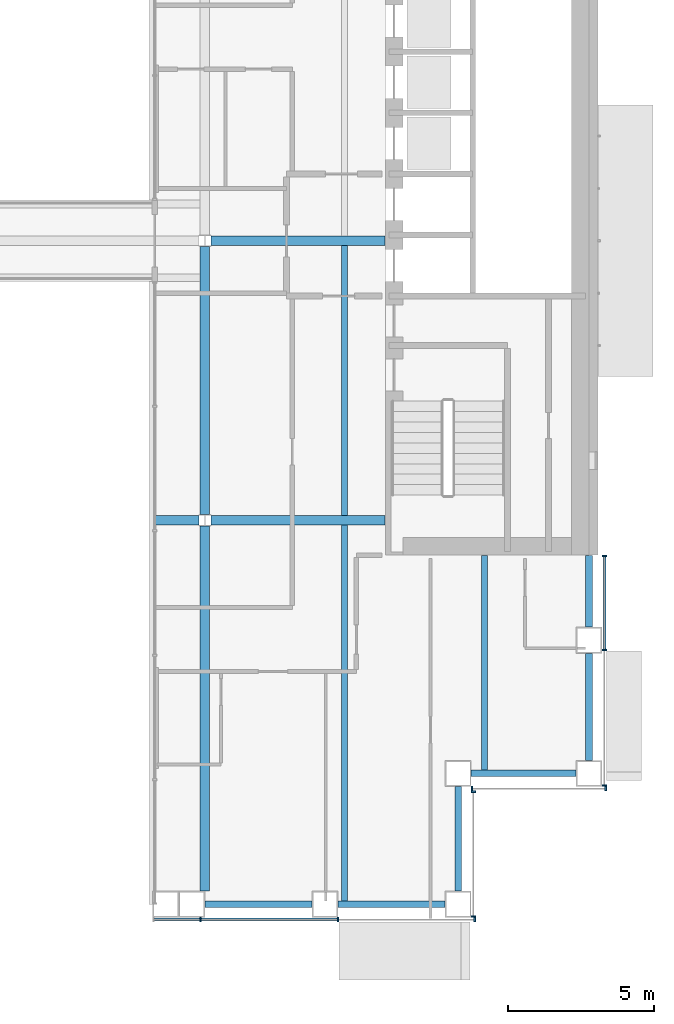
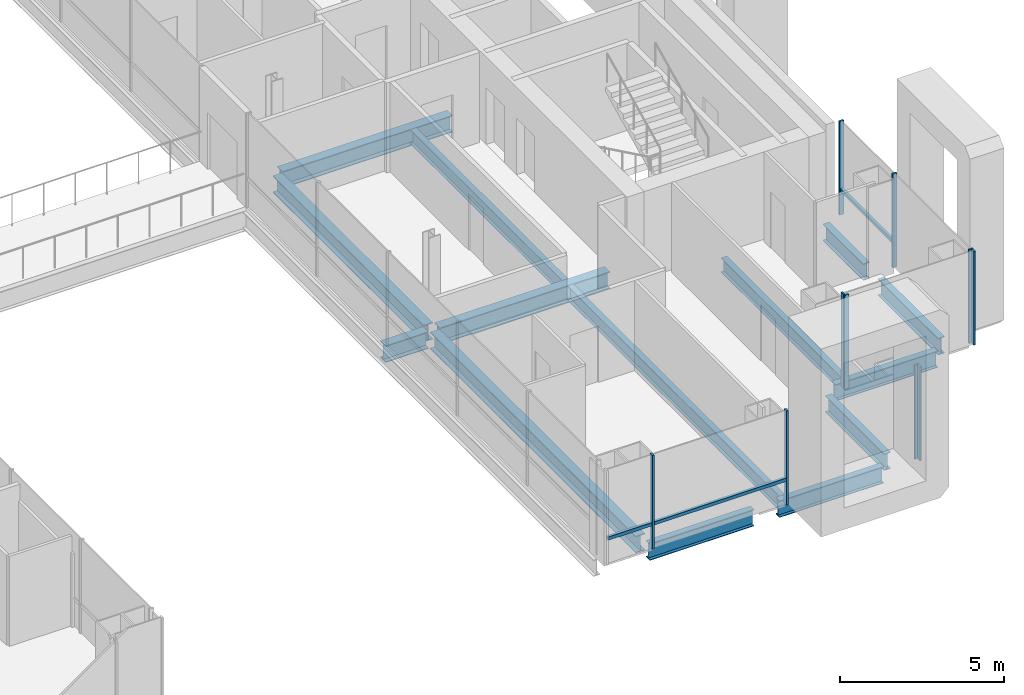
# One storey, part 5 of 20: 14 beams, 13 members, 4 elements without a shape of their own.
"""IFC4 building model written with IfcOpenShell, lengths in metres."""

from ifc_helpers import new_model, si_unit, direction, frame, origin, origin_2d, place, context, subcontext, project, spatial, rectangle, i_section, extrude, material, material_profile, profile_set, type_object, element, aggregate, save


model = new_model("IFC4")

# Units and contexts
model_context = context("Model", 3, precision=1e-05, world=origin(), true_north=direction((0.0, 1.0)))
body_context = subcontext(model_context, "Body", "Model", "MODEL_VIEW")
ifc_project = project(units=[si_unit("LENGTHUNIT", "METRE"), si_unit("AREAUNIT", "SQUARE_METRE"), si_unit("VOLUMEUNIT", "CUBIC_METRE"), si_unit("PLANEANGLEUNIT", "RADIAN"), si_unit("MASSUNIT", "GRAM", prefix="KILO")], contexts=[model_context])

# Site, building, storey
site_placement = place(None, origin())
site = spatial("IfcSite", under=ifc_project, at=site_placement, CompositionType="ELEMENT")
building_placement = place(site_placement, origin())
building = spatial("IfcBuilding", under=site, at=building_placement, Name="Cobrizo Arcos Hotel Tower", CompositionType="ELEMENT")
storey_placement = place(building_placement, frame((0.0, 0.0, 124.0)))
storey = spatial("IfcBuildingStorey", under=building, at=storey_placement, Name="L31", CompositionType="ELEMENT", Elevation=124.0)

# Curtain wall, members
ifc_material_1 = material(Name="Aluminium 6063-T6 anodised bronze", Category="aluminium")
curtain_wall_type = type_object("IfcCurtainWallType", Name="CW-A guest facade", PredefinedType="NOTDEFINED", material=ifc_material_1)
curtain_wall_1_placement = place(storey_placement, origin())
curtain_wall_1 = element("IfcCurtainWall", 1, at=curtain_wall_1_placement, inside=storey, type_object=curtain_wall_type, Name="CW-A L31 S face", PredefinedType="NOTDEFINED")
ifc_material_profile_1 = material_profile(ifc_material_1, rectangle(XDim=0.14990234375, YDim=0.06005859375, at=origin_2d()), Name="CW-A mullion 150x60")
ifc_profile_set_1 = profile_set([ifc_material_profile_1], Name="Aluminium 6063-T6 anodised bronze")
member_type_1 = type_object("IfcMemberType", Name="CW-A mullion 150x60", PredefinedType="MULLION", material=ifc_profile_set_1)
member_1_placement = place(storey_placement, frame((9.449951171875, -23.324951171875, 0.0), z_axis=(0.0, 0.0, 1.0), x_axis=(0.0, -1.0, 0.0)))
member_1 = element("IfcMember", 2, at=member_1_placement, type_object=member_type_1, Name="CW-A mullion 2", PredefinedType="MULLION", context=body_context, shape_type="SweptSolid", body=[
    extrude(rectangle(XDim=0.14990234375, YDim=0.06005859375, at=origin_2d()), origin(), (0.0, 0.0, 1.0), 3.5),
])
member_2_placement = place(storey_placement, frame((14.175048828125, -23.324951171875, 0.0), z_axis=(0.0, 0.0, 1.0), x_axis=(0.0, -1.0, 0.0)))
member_2 = element("IfcMember", 3, at=member_2_placement, type_object=member_type_1, Name="CW-A mullion 3", PredefinedType="MULLION", context=body_context, shape_type="SweptSolid", body=[
    extrude(rectangle(XDim=0.14990234375, YDim=0.06005859375, at=origin_2d()), origin(), (0.0, 0.0, 1.0), 3.5),
])
member_3_placement = place(storey_placement, frame((18.8701171875, -23.324951171875, 0.0), z_axis=(0.0, 0.0, 1.0), x_axis=(0.0, -1.0, 0.0)))
member_3 = element("IfcMember", 4, at=member_3_placement, type_object=member_type_1, Name="CW-A mullion 4", PredefinedType="MULLION", context=body_context, shape_type="SweptSolid", body=[
    extrude(rectangle(XDim=0.14990234375, YDim=0.06005859375, at=origin_2d()), origin(), (0.0, 0.0, 1.0), 3.5),
])

curtain_wall_2_placement = place(storey_placement, origin())
curtain_wall_2 = element("IfcCurtainWall", 5, at=curtain_wall_2_placement, inside=storey, type_object=curtain_wall_type, Name="CW-A L31 E face", PredefinedType="NOTDEFINED")
member_4_placement = place(storey_placement, frame((18.824951171875, -23.219970703125, 0.0), z_axis=(0.0, 0.0, 1.0), x_axis=(1.0, 0.0, 0.0)))
member_4 = element("IfcMember", 6, at=member_4_placement, type_object=member_type_1, Name="CW-A mullion 1", PredefinedType="MULLION", context=body_context, shape_type="SweptSolid", body=[
    extrude(rectangle(XDim=0.14990234375, YDim=0.06005859375, at=origin_2d()), origin(), (0.0, 0.0, 1.0), 3.5),
])
member_5_placement = place(storey_placement, frame((18.824951171875, -18.929931640625, 0.0), z_axis=(0.0, 0.0, 1.0), x_axis=(1.0, 0.0, 0.0)))
member_5 = element("IfcMember", 7, at=member_5_placement, type_object=member_type_1, Name="CW-A mullion 2", PredefinedType="MULLION", context=body_context, shape_type="SweptSolid", body=[
    extrude(rectangle(XDim=0.14990234375, YDim=0.06005859375, at=origin_2d()), origin(), (0.0, 0.0, 1.0), 3.5),
])
aggregate(curtain_wall_2, [member_4, member_5])

curtain_wall_3_placement = place(storey_placement, origin())
curtain_wall_3 = element("IfcCurtainWall", 8, at=curtain_wall_3_placement, inside=storey, type_object=curtain_wall_type, Name="CW-A L31 S face", PredefinedType="NOTDEFINED")
member_6_placement = place(storey_placement, frame((18.780029296875, -18.824951171875, 0.0), z_axis=(0.0, 0.0, 1.0), x_axis=(0.0, -1.0, 0.0)))
member_6 = element("IfcMember", 9, at=member_6_placement, type_object=member_type_1, Name="CW-A mullion 1", PredefinedType="MULLION", context=body_context, shape_type="SweptSolid", body=[
    extrude(rectangle(XDim=0.14990234375, YDim=0.06005859375, at=origin_2d()), origin(), (0.0, 0.0, 1.0), 3.5),
])
member_7_placement = place(storey_placement, frame((23.3701171875, -18.824951171875, 0.0), z_axis=(0.0, 0.0, 1.0), x_axis=(0.0, -1.0, 0.0)))
member_7 = element("IfcMember", 10, at=member_7_placement, type_object=member_type_1, Name="CW-A mullion 2", PredefinedType="MULLION", context=body_context, shape_type="SweptSolid", body=[
    extrude(rectangle(XDim=0.14990234375, YDim=0.06005859375, at=origin_2d()), origin(), (0.0, 0.0, 1.0), 3.5),
])
aggregate(curtain_wall_3, [member_6, member_7])

curtain_wall_4_placement = place(storey_placement, origin())
curtain_wall_4 = element("IfcCurtainWall", 11, at=curtain_wall_4_placement, inside=storey, type_object=curtain_wall_type, Name="CW-A L31 E face", PredefinedType="NOTDEFINED")
member_8_placement = place(storey_placement, frame((23.324951171875, -18.719970703125, 0.0), z_axis=(0.0, 0.0, 1.0), x_axis=(1.0, 0.0, 0.0)))
member_8 = element("IfcMember", 12, at=member_8_placement, type_object=member_type_1, Name="CW-A mullion 1", PredefinedType="MULLION", context=body_context, shape_type="SweptSolid", body=[
    extrude(rectangle(XDim=0.14990234375, YDim=0.06005859375, at=origin_2d()), origin(), (0.0, 0.0, 1.0), 3.5),
])
member_9_placement = place(storey_placement, frame((23.324951171875, -14.0625, 0.0), z_axis=(0.0, 0.0, 1.0), x_axis=(1.0, 0.0, 0.0)))
member_9 = element("IfcMember", 13, at=member_9_placement, type_object=member_type_1, Name="CW-A mullion 2", PredefinedType="MULLION", context=body_context, shape_type="SweptSolid", body=[
    extrude(rectangle(XDim=0.14990234375, YDim=0.06005859375, at=origin_2d()), origin(), (0.0, 0.0, 1.0), 3.5),
])
member_10_placement = place(storey_placement, frame((23.324951171875, -10.830078125, 0.0), z_axis=(0.0, 0.0, 1.0), x_axis=(1.0, 0.0, 0.0)))
member_10 = element("IfcMember", 14, at=member_10_placement, type_object=member_type_1, Name="CW-A mullion 3", PredefinedType="MULLION", context=body_context, shape_type="SweptSolid", body=[
    extrude(rectangle(XDim=0.14990234375, YDim=0.06005859375, at=origin_2d()), origin(), (0.0, 0.0, 1.0), 3.5),
])

# Member
ifc_material_profile_2 = material_profile(ifc_material_1, rectangle(XDim=0.10009765625, YDim=0.1201171875, at=origin_2d()), Name="CW-A transom 120x100")
ifc_profile_set_2 = profile_set([ifc_material_profile_2], Name="Aluminium 6063-T6 anodised bronze")
member_type_2 = type_object("IfcMemberType", Name="CW-A transom 120x100", PredefinedType="USERDEFINED", material=ifc_profile_set_2)
member_11_placement = place(storey_placement, frame((7.860107421875, -23.324951171875, 0.929931640625), z_axis=(1.0, 0.0, 0.0), x_axis=(0.0, 1.0, 0.0)))
member_11 = element("IfcMember", 15, at=member_11_placement, type_object=member_type_2, Name="CW-A transom 1166", ObjectType="TRANSOM", PredefinedType="USERDEFINED", context=body_context, shape_type="SweptSolid", body=[
    extrude(rectangle(XDim=0.10009765625, YDim=0.1201171875, at=origin_2d()), origin(), (0.0, 0.0, 1.0), 1.559814453125),
])

member_12_placement = place(storey_placement, frame((9.47998046875, -23.324951171875, 0.929931640625), z_axis=(1.0, 0.0, 0.0), x_axis=(0.0, 1.0, 0.0)))
member_12 = element("IfcMember", 16, at=member_12_placement, type_object=member_type_2, Name="CW-A transom 1167", ObjectType="TRANSOM", PredefinedType="USERDEFINED", context=body_context, shape_type="SweptSolid", body=[
    extrude(rectangle(XDim=0.10009765625, YDim=0.1201171875, at=origin_2d()), origin(), (0.0, 0.0, 1.0), 4.6650390625),
])

aggregate(curtain_wall_1, [member_1, member_2, member_3, member_11, member_12])

member_13_placement = place(storey_placement, frame((23.324951171875, -14.032470703125, 0.929931640625), z_axis=(0.0, 1.0, 0.0), x_axis=(-1.0, 0.0, 0.0)))
member_13 = element("IfcMember", 17, at=member_13_placement, type_object=member_type_2, Name="CW-A transom 1172", ObjectType="TRANSOM", PredefinedType="USERDEFINED", context=body_context, shape_type="SweptSolid", body=[
    extrude(rectangle(XDim=0.10009765625, YDim=0.1201171875, at=origin_2d()), origin(), (0.0, 0.0, 1.0), 3.17236328125),
])

aggregate(curtain_wall_4, [member_8, member_9, member_10, member_13])

# Beams
ifc_material_2 = material(Name="Steel ASTM A992 Grade 50", Category="steel")
ifc_material_profile_3 = material_profile(ifc_material_2, i_section(OverallWidth=0.209228515625, OverallDepth=0.533447265625, WebThickness=0.01025390625, FlangeThickness=0.015625, at=origin_2d()), Name="W21X62")
ifc_profile_set_3 = profile_set([ifc_material_profile_3], Name="Steel ASTM A992 Grade 50")
beam_type_1 = type_object("IfcBeamType", Name="W21X62 joist", PredefinedType="JOIST", material=ifc_profile_set_3)
beam_1_placement = place(storey_placement, frame((14.39990234375, -22.7099609375, -0.416748046875), z_axis=(0.0, 1.0, 0.0), x_axis=(-1.0, 0.0, 0.0)))
element("IfcBeam", 18, at=beam_1_placement, inside=storey, type_object=beam_type_1, Name="Floor joist J1, L31, no. 007", PredefinedType="JOIST", context=body_context, shape_type="SweptSolid", body=[
    extrude(i_section(OverallWidth=0.209228515625, OverallDepth=0.533447265625, WebThickness=0.01025390625, FlangeThickness=0.015625, at=origin_2d()), origin(), (0.0, 0.0, 1.0), 12.946044921875),
])
beam_2_placement = place(storey_placement, frame((14.39990234375, -9.43603515625, -0.416748046875), z_axis=(0.0, 1.0, 0.0), x_axis=(-1.0, 0.0, 0.0)))
element("IfcBeam", 19, at=beam_2_placement, inside=storey, type_object=beam_type_1, Name="Floor joist J1, L31, no. 008", PredefinedType="JOIST", context=body_context, shape_type="SweptSolid", body=[
    extrude(i_section(OverallWidth=0.209228515625, OverallDepth=0.533447265625, WebThickness=0.01025390625, FlangeThickness=0.015625, at=origin_2d()), origin(), (0.0, 0.0, 1.0), 9.272216796875),
])
beam_3_placement = place(storey_placement, frame((19.199951171875, -18.2099609375, -0.416748046875), z_axis=(0.0, 1.0, 0.0), x_axis=(-1.0, 0.0, 0.0)))
element("IfcBeam", 20, at=beam_3_placement, inside=storey, type_object=beam_type_1, Name="Floor joist J1, L31, no. 011", PredefinedType="JOIST", context=body_context, shape_type="SweptSolid", body=[
    extrude(i_section(OverallWidth=0.209228515625, OverallDepth=0.533447265625, WebThickness=0.01025390625, FlangeThickness=0.015625, at=origin_2d()), origin(), (0.0, 0.0, 1.0), 7.39990234375),
])
ifc_material_profile_4 = material_profile(ifc_material_2, i_section(OverallWidth=0.32763671875, OverallDepth=0.622314453125, WebThickness=0.015380859375, FlangeThickness=0.0244140625, at=origin_2d()), Name="W24X131")
ifc_profile_set_4 = profile_set([ifc_material_profile_4], Name="Steel ASTM A992 Grade 50")
beam_type_2 = type_object("IfcBeamType", Name="W24X131 girder", PredefinedType="BEAM", material=ifc_profile_set_4)
beam_4_placement = place(storey_placement, frame((7.889892578125, -9.60009765625, -0.461181640625), z_axis=(1.0, 0.0, 0.0), x_axis=(0.0, 1.0, 0.0)))
element("IfcBeam", 21, at=beam_4_placement, inside=storey, type_object=beam_type_2, Name="Floor girder G1, L31, no. 003", PredefinedType="BEAM", context=body_context, shape_type="SweptSolid", body=[
    extrude(i_section(OverallWidth=0.32763671875, OverallDepth=0.622314453125, WebThickness=0.015380859375, FlangeThickness=0.0244140625, at=origin_2d()), origin(), (0.0, 0.0, 1.0), 1.5107421875),
])
for number, where, z_axis, x_axis, name in (
    (22, (9.79931640625, -9.60009765625, -0.461181640625), (1.0, 0.0, 0.0), (0.0, 1.0, 0.0), "Floor girder G1, L31, no. 004"),
    (23, (9.79931640625, 0.0, -0.461181640625), (1.0, 0.0, 0.0), (0.0, 1.0, 0.0), "Floor girder G1, L31, no. 007"),
):
    element("IfcBeam", number, at=place(storey_placement, frame(where, z_axis=z_axis, x_axis=x_axis)), inside=storey, type_object=beam_type_2, Name=name, PredefinedType="BEAM", context=body_context, shape_type="SweptSolid", body=[
        extrude(i_section(OverallWidth=0.32763671875, OverallDepth=0.622314453125, WebThickness=0.015380859375, FlangeThickness=0.0244140625, at=origin_2d()), origin(), (0.0, 0.0, 1.0), 5.99072265625),
    ])
beam_5_placement = place(storey_placement, frame((9.60009765625, -22.35009765625, -0.461181640625), z_axis=(0.0, 1.0, 0.0), x_axis=(-1.0, 0.0, 0.0)))
element("IfcBeam", 24, at=beam_5_placement, inside=storey, type_object=beam_type_2, Name="Floor girder G1, L31, no. 016", PredefinedType="BEAM", context=body_context, shape_type="SweptSolid", body=[
    extrude(i_section(OverallWidth=0.32763671875, OverallDepth=0.622314453125, WebThickness=0.015380859375, FlangeThickness=0.0244140625, at=origin_2d()), origin(), (0.0, 0.0, 1.0), 12.55078125),
])
beam_6_placement = place(storey_placement, frame((9.60009765625, -9.400634765625, -0.461181640625), z_axis=(0.0, 1.0, 0.0), x_axis=(-1.0, 0.0, 0.0)))
element("IfcBeam", 25, at=beam_6_placement, inside=storey, type_object=beam_type_2, Name="Floor girder G1, L31, no. 017", PredefinedType="BEAM", context=body_context, shape_type="SweptSolid", body=[
    extrude(i_section(OverallWidth=0.32763671875, OverallDepth=0.622314453125, WebThickness=0.015380859375, FlangeThickness=0.0244140625, at=origin_2d()), origin(), (0.0, 0.0, 1.0), 9.201171875),
])
ifc_material_profile_5 = material_profile(ifc_material_2, i_section(OverallWidth=0.23046875, OverallDepth=0.6171875, WebThickness=0.01318359375, FlangeThickness=0.022216796875, at=origin_2d()), Name="W24X94")
ifc_profile_set_5 = profile_set([ifc_material_profile_5], Name="Steel ASTM A992 Grade 50")
beam_type_3 = type_object("IfcBeamType", Name="W24X94 spandrel", PredefinedType="SPANDREL", material=ifc_profile_set_5)
beam_7_placement = place(storey_placement, frame((22.800048828125, -10.81005859375, -0.45849609375), z_axis=(0.0, -1.0, 0.0), x_axis=(1.0, 0.0, 0.0)))
element("IfcBeam", 26, at=beam_7_placement, inside=storey, type_object=beam_type_3, Name="Spandrel beam W24X94, L31, no. 004", PredefinedType="SPANDREL", context=body_context, shape_type="SweptSolid", body=[
    extrude(i_section(OverallWidth=0.23046875, OverallDepth=0.6171875, WebThickness=0.01318359375, FlangeThickness=0.022216796875, at=origin_2d()), origin(), (0.0, 0.0, 1.0), 2.46484375),
])
beam_8_placement = place(storey_placement, frame((22.800048828125, -14.175048828125, -0.45849609375), z_axis=(0.0, -1.0, 0.0), x_axis=(1.0, 0.0, 0.0)))
element("IfcBeam", 27, at=beam_8_placement, inside=storey, type_object=beam_type_3, Name="Spandrel beam W24X94, L31, no. 005", PredefinedType="SPANDREL", context=body_context, shape_type="SweptSolid", body=[
    extrude(i_section(OverallWidth=0.23046875, OverallDepth=0.6171875, WebThickness=0.01318359375, FlangeThickness=0.022216796875, at=origin_2d()), origin(), (0.0, 0.0, 1.0), 3.675048828125),
])
for number, where, z_axis, x_axis, name in (
    (28, (22.35009765625, -18.300048828125, -0.45849609375), (-1.0, 0.0, 0.0), (0.0, -1.0, 0.0), "Spandrel beam W24X94, L31, no. 006"),
    (29, (18.300048828125, -18.75, -0.45849609375), (0.0, -1.0, 0.0), (1.0, 0.0, 0.0), "Spandrel beam W24X94, L31, no. 007"),
):
    element("IfcBeam", number, at=place(storey_placement, frame(where, z_axis=z_axis, x_axis=x_axis)), inside=storey, type_object=beam_type_3, Name=name, PredefinedType="SPANDREL", context=body_context, shape_type="SweptSolid", body=[
        extrude(i_section(OverallWidth=0.23046875, OverallDepth=0.6171875, WebThickness=0.01318359375, FlangeThickness=0.022216796875, at=origin_2d()), origin(), (0.0, 0.0, 1.0), 3.60009765625),
    ])
beam_9_placement = place(storey_placement, frame((17.85009765625, -22.800048828125, -0.45849609375), z_axis=(-1.0, 0.0, 0.0), x_axis=(0.0, -1.0, 0.0)))
element("IfcBeam", 30, at=beam_9_placement, inside=storey, type_object=beam_type_3, Name="Spandrel beam W24X94, L31, no. 008", PredefinedType="SPANDREL", context=body_context, shape_type="SweptSolid", body=[
    extrude(i_section(OverallWidth=0.23046875, OverallDepth=0.6171875, WebThickness=0.01318359375, FlangeThickness=0.022216796875, at=origin_2d()), origin(), (0.0, 0.0, 1.0), 3.675048828125),
])
beam_10_placement = place(storey_placement, frame((13.27490234375, -22.800048828125, -0.45849609375), z_axis=(-1.0, 0.0, 0.0), x_axis=(0.0, -1.0, 0.0)))
element("IfcBeam", 31, at=beam_10_placement, inside=storey, type_object=beam_type_3, Name="Spandrel beam W24X94, L31, no. 009", PredefinedType="SPANDREL", context=body_context, shape_type="SweptSolid", body=[
    extrude(i_section(OverallWidth=0.23046875, OverallDepth=0.6171875, WebThickness=0.01318359375, FlangeThickness=0.022216796875, at=origin_2d()), origin(), (0.0, 0.0, 1.0), 3.6748046875),
])

save(model, "model.ifc")
